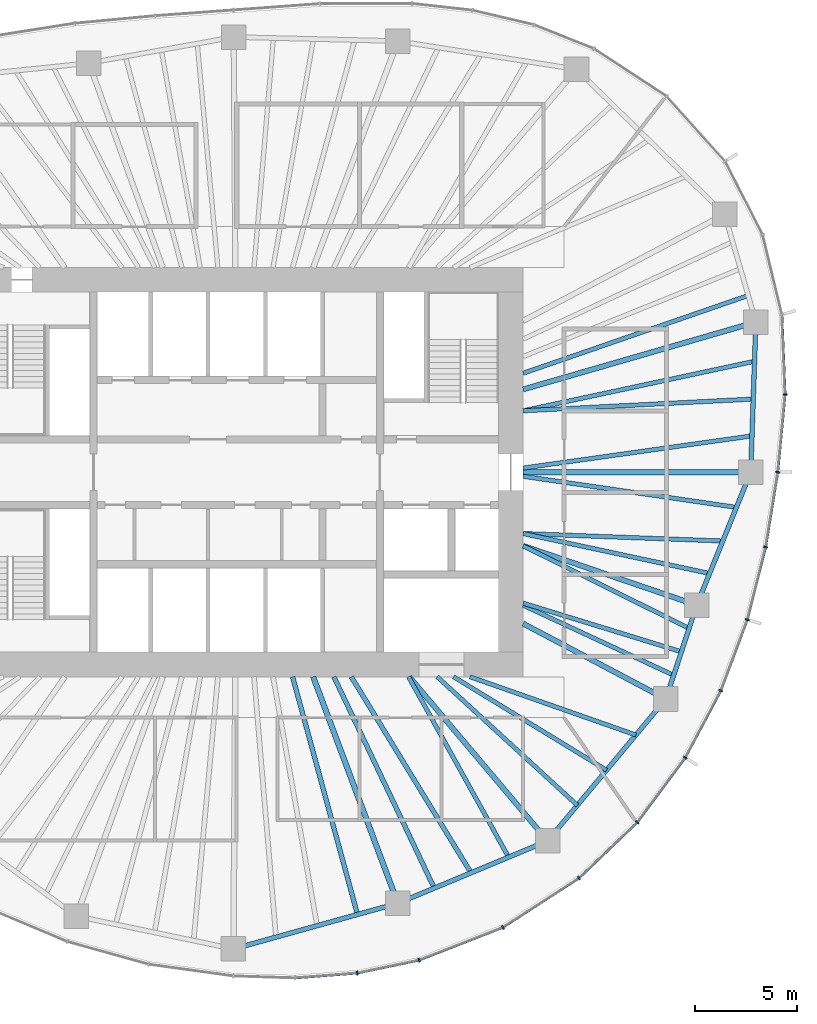
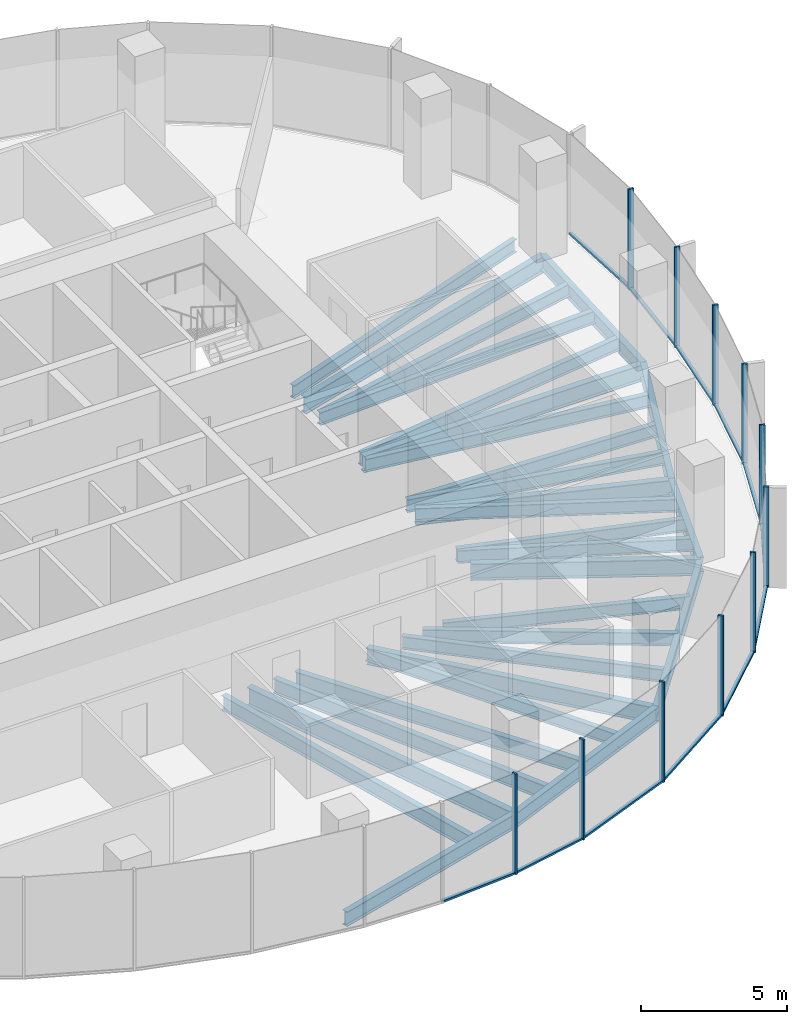
# One storey, part 4 of 12: 29 beams, 23 members, 6 elements without a shape of their own.
"""IFC4 building model written with IfcOpenShell, lengths in metres."""

from ifc_helpers import new_model, si_unit, direction, frame, origin, origin_2d, place, context, subcontext, project, spatial, rectangle, i_section, extrude, material, material_profile, profile_set, type_object, element, aggregate, save


model = new_model("IFC4")

# Units and contexts
model_context = context("Model", 3, precision=1e-05, world=origin(), true_north=direction((0.0, 1.0)))
body_context = subcontext(model_context, "Body", "Model", "MODEL_VIEW")
ifc_project = project(units=[si_unit("LENGTHUNIT", "METRE"), si_unit("AREAUNIT", "SQUARE_METRE"), si_unit("VOLUMEUNIT", "CUBIC_METRE"), si_unit("PLANEANGLEUNIT", "RADIAN"), si_unit("MASSUNIT", "GRAM", prefix="KILO")], contexts=[model_context])

# Site, building, storey
site_placement = place(None, origin())
site = spatial("IfcSite", under=ifc_project, at=site_placement, CompositionType="ELEMENT")
building_placement = place(site_placement, origin())
building = spatial("IfcBuilding", under=site, at=building_placement, Name="Ghaith Harvest Tower", CompositionType="ELEMENT")
storey_placement = place(building_placement, frame((0.0, 0.0, 232.60009765625)))
storey = spatial("IfcBuildingStorey", under=building, at=storey_placement, Name="L51", CompositionType="ELEMENT", Elevation=232.60009765625)

# Curtain wall, members
ifc_material_1 = material(Name="Black anodised aluminium and fritted glass", Category="aluminium")
curtain_wall_type = type_object("IfcCurtainWallType", Name="CW-H CURTAIN WALL", PredefinedType="NOTDEFINED", material=ifc_material_1)
curtain_wall_1_placement = place(storey_placement, origin())
curtain_wall_1 = element("IfcCurtainWall", 1, at=curtain_wall_1_placement, inside=storey, type_object=curtain_wall_type, Name="Curtain wall CW-H bay 01 L51", PredefinedType="NOTDEFINED")
ifc_material_2 = material(Name="Aluminium, black anodised", Category="aluminium")
ifc_material_profile_1 = material_profile(ifc_material_2, rectangle(XDim=0.080078125, YDim=0.199951171875, at=origin_2d()), Name="CW-H MULLION 80x200")
ifc_profile_set_1 = profile_set([ifc_material_profile_1], Name="Aluminium, black anodised")
member_type_1 = type_object("IfcMemberType", Name="CW-H MULLION 80x200", PredefinedType="MULLION", material=ifc_profile_set_1)
member_1_placement = place(storey_placement, frame((26.445068359375, 0.0, 0.0), z_axis=(0.0, 0.0, 1.0), x_axis=(0.126567624553, 0.991957981174, 0.0)))
member_1 = element("IfcMember", 2, at=member_1_placement, type_object=member_type_1, Name="CW-H mullion 1 bay 01 L51", PredefinedType="MULLION", context=body_context, shape_type="SweptSolid", body=[
    extrude(rectangle(XDim=0.080078125, YDim=0.199951171875, at=origin_2d()), origin(), (0.0, 0.0, 1.0), 4.199951171875),
])
member_2_placement = place(storey_placement, frame((26.804443359375, 3.7958984375, 0.0), z_axis=(0.0, 0.0, 1.0), x_axis=(0.026142797814, 0.999658218654, 0.0)))
member_2 = element("IfcMember", 3, at=member_2_placement, type_object=member_type_1, Name="CW-H mullion 2 bay 01 L51", PredefinedType="MULLION", context=body_context, shape_type="SweptSolid", body=[
    extrude(rectangle(XDim=0.080078125, YDim=0.199951171875, at=origin_2d()), origin(), (0.0, 0.0, 1.0), 4.199951171875),
])

# Curtain wall, member
curtain_wall_2_placement = place(storey_placement, origin())
curtain_wall_2 = element("IfcCurtainWall", 4, at=curtain_wall_2_placement, inside=storey, type_object=curtain_wall_type, Name="Curtain wall CW-H bay 16 L51", PredefinedType="NOTDEFINED")
member_3_placement = place(storey_placement, frame((5.893310546875, -24.48291015625, 0.0), z_axis=(0.0, 0.0, 1.0), x_axis=(0.989849191496, 0.142121701704, 0.0)))
member_3 = element("IfcMember", 5, at=member_3_placement, type_object=member_type_1, Name="CW-H mullion 3 bay 16 L51", PredefinedType="MULLION", context=body_context, shape_type="SweptSolid", body=[
    extrude(rectangle(XDim=0.080078125, YDim=0.199951171875, at=origin_2d()), origin(), (0.0, 0.0, 1.0), 4.199951171875),
])

# Curtain wall, members
curtain_wall_3_placement = place(storey_placement, origin())
curtain_wall_3 = element("IfcCurtainWall", 6, at=curtain_wall_3_placement, inside=storey, type_object=curtain_wall_type, Name="Curtain wall CW-H bay 17 L51", PredefinedType="NOTDEFINED")
member_4_placement = place(storey_placement, frame((8.916015625, -23.85009765625, 0.0), z_axis=(0.0, 0.0, 1.0), x_axis=(0.954029934434, 0.299711334793, 0.0)))
member_4 = element("IfcMember", 7, at=member_4_placement, type_object=member_type_1, Name="CW-H mullion 1 bay 17 L51", PredefinedType="MULLION", context=body_context, shape_type="SweptSolid", body=[
    extrude(rectangle(XDim=0.080078125, YDim=0.199951171875, at=origin_2d()), origin(), (0.0, 0.0, 1.0), 4.199951171875),
])
member_5_placement = place(storey_placement, frame((13.010009765625, -22.2470703125, 0.0), z_axis=(0.0, 0.0, 1.0), x_axis=(0.889568363425, 0.456802065225, 0.0)))
member_5 = element("IfcMember", 8, at=member_5_placement, type_object=member_type_1, Name="CW-H mullion 2 bay 17 L51", PredefinedType="MULLION", context=body_context, shape_type="SweptSolid", body=[
    extrude(rectangle(XDim=0.080078125, YDim=0.199951171875, at=origin_2d()), origin(), (0.0, 0.0, 1.0), 4.199951171875),
])

curtain_wall_4_placement = place(storey_placement, origin())
curtain_wall_4 = element("IfcCurtainWall", 9, at=curtain_wall_4_placement, inside=storey, type_object=curtain_wall_type, Name="Curtain wall CW-H bay 18 L51", PredefinedType="NOTDEFINED")
member_6_placement = place(storey_placement, frame((16.72900390625, -19.838134765625, 0.0), z_axis=(0.0, 0.0, 1.0), x_axis=(0.78784554071, 0.615872879727, 0.0)))
member_6 = element("IfcMember", 10, at=member_6_placement, type_object=member_type_1, Name="CW-H mullion 1 bay 18 L51", PredefinedType="MULLION", context=body_context, shape_type="SweptSolid", body=[
    extrude(rectangle(XDim=0.080078125, YDim=0.199951171875, at=origin_2d()), origin(), (0.0, 0.0, 1.0), 4.199951171875),
])
member_7_placement = place(storey_placement, frame((19.57421875, -17.11572265625, 0.0), z_axis=(0.0, 0.0, 1.0), x_axis=(0.661614965695, 0.749843741835, 0.0)))
member_7 = element("IfcMember", 11, at=member_7_placement, type_object=member_type_1, Name="CW-H mullion 2 bay 18 L51", PredefinedType="MULLION", context=body_context, shape_type="SweptSolid", body=[
    extrude(rectangle(XDim=0.080078125, YDim=0.199951171875, at=origin_2d()), origin(), (0.0, 0.0, 1.0), 4.199951171875),
])

curtain_wall_5_placement = place(storey_placement, origin())
curtain_wall_5 = element("IfcCurtainWall", 12, at=curtain_wall_5_placement, inside=storey, type_object=curtain_wall_type, Name="Curtain wall CW-H bay 19 L51", PredefinedType="NOTDEFINED")
member_8_placement = place(storey_placement, frame((21.922607421875, -13.951904296875, 0.0), z_axis=(0.0, 0.0, 1.0), x_axis=(0.535827198032, 0.844327669717, 0.0)))
member_8 = element("IfcMember", 13, at=member_8_placement, type_object=member_type_1, Name="CW-H mullion 1 bay 19 L51", PredefinedType="MULLION", context=body_context, shape_type="SweptSolid", body=[
    extrude(rectangle(XDim=0.080078125, YDim=0.199951171875, at=origin_2d()), origin(), (0.0, 0.0, 1.0), 4.199951171875),
])
member_9_placement = place(storey_placement, frame((23.658203125, -10.680419921875, 0.0), z_axis=(0.0, 0.0, 1.0), x_axis=(0.410429862351, 0.911892169114, 0.0)))
member_9 = element("IfcMember", 14, at=member_9_placement, type_object=member_type_1, Name="CW-H mullion 2 bay 19 L51", PredefinedType="MULLION", context=body_context, shape_type="SweptSolid", body=[
    extrude(rectangle(XDim=0.080078125, YDim=0.199951171875, at=origin_2d()), origin(), (0.0, 0.0, 1.0), 4.199951171875),
])

curtain_wall_6_placement = place(storey_placement, origin())
curtain_wall_6 = element("IfcCurtainWall", 15, at=curtain_wall_6_placement, inside=storey, type_object=curtain_wall_type, Name="Curtain wall CW-H bay 20 L51", PredefinedType="NOTDEFINED")
member_10_placement = place(storey_placement, frame((24.955810546875, -7.212890625, 0.0), z_axis=(0.0, 0.0, 1.0), x_axis=(0.298441625478, 0.954427889462, 0.0)))
member_10 = element("IfcMember", 16, at=member_10_placement, type_object=member_type_1, Name="CW-H mullion 1 bay 20 L51", PredefinedType="MULLION", context=body_context, shape_type="SweptSolid", body=[
    extrude(rectangle(XDim=0.080078125, YDim=0.199951171875, at=origin_2d()), origin(), (0.0, 0.0, 1.0), 4.199951171875),
])
member_11_placement = place(storey_placement, frame((25.85302734375, -3.6611328125, 0.0), z_axis=(0.0, 0.0, 1.0), x_axis=(0.202192370647, 0.979345825157, 0.0)))
member_11 = element("IfcMember", 17, at=member_11_placement, type_object=member_type_1, Name="CW-H mullion 2 bay 20 L51", PredefinedType="MULLION", context=body_context, shape_type="SweptSolid", body=[
    extrude(rectangle(XDim=0.080078125, YDim=0.199951171875, at=origin_2d()), origin(), (0.0, 0.0, 1.0), 4.199951171875),
])

# Member
ifc_material_3 = material(Name="Aluminium, black anodised", Category="aluminium")
ifc_material_profile_2 = material_profile(ifc_material_3, rectangle(XDim=0.1298828125, YDim=0.080078125, at=origin_2d()), Name="CW-H TRANSOM 130x80")
ifc_profile_set_2 = profile_set([ifc_material_profile_2], Name="Aluminium, black anodised")
member_type_2 = type_object("IfcMemberType", Name="CW-H TRANSOM 130x80", PredefinedType="USERDEFINED", material=ifc_profile_set_2)
member_12_placement = place(storey_placement, frame((26.44873046875, 0.039794921875, 0.039794921875), z_axis=(0.094309089207, 0.995542965267, 0.0), x_axis=(-0.995542965267, 0.094309089207, 0.0)))
member_12 = element("IfcMember", 18, at=member_12_placement, type_object=member_type_2, Name="CW-H transom 1 bay 01 L51", ObjectType="TRANSOM", PredefinedType="USERDEFINED", context=body_context, shape_type="SweptSolid", body=[
    extrude(rectangle(XDim=0.1298828125, YDim=0.080078125, at=origin_2d()), origin(), (0.0, 0.0, 1.0), 3.73291015625),
])

member_13_placement = place(storey_placement, frame((26.802978515625, 3.8359375, 0.039794921875), z_axis=(-0.040492641284, 0.999179836667, 0.0), x_axis=(-0.999179836667, -0.040492641284, 0.0)))
member_13 = element("IfcMember", 19, at=member_13_placement, type_object=member_type_2, Name="CW-H transom 2 bay 01 L51", ObjectType="TRANSOM", PredefinedType="USERDEFINED", context=body_context, shape_type="SweptSolid", body=[
    extrude(rectangle(XDim=0.1298828125, YDim=0.080078125, at=origin_2d()), origin(), (0.0, 0.0, 1.0), 3.82861328125),
])

aggregate(curtain_wall_1, [member_1, member_12, member_2, member_13])

member_14_placement = place(storey_placement, frame((2.8876953125, -24.71826171875, 0.039794921875), z_axis=(0.996949781933, 0.078045706505, 0.0), x_axis=(-0.078045706505, 0.996949781933, 0.0)))
member_14 = element("IfcMember", 20, at=member_14_placement, type_object=member_type_2, Name="CW-H transom 2 bay 16 L51", ObjectType="TRANSOM", PredefinedType="USERDEFINED", context=body_context, shape_type="SweptSolid", body=[
    extrude(rectangle(XDim=0.1298828125, YDim=0.080078125, at=origin_2d()), origin(), (0.0, 0.0, 1.0), 2.974853515625),
])

member_15_placement = place(storey_placement, frame((5.932373046875, -24.474609375, 0.039794921875), z_axis=(0.978797058213, 0.204832416461, 0.0), x_axis=(-0.204832416461, 0.978797058213, 0.0)))
member_15 = element("IfcMember", 21, at=member_15_placement, type_object=member_type_2, Name="CW-H transom 3 bay 16 L51", ObjectType="TRANSOM", PredefinedType="USERDEFINED", context=body_context, shape_type="SweptSolid", body=[
    extrude(rectangle(XDim=0.1298828125, YDim=0.080078125, at=origin_2d()), origin(), (0.0, 0.0, 1.0), 3.00830078125),
])

aggregate(curtain_wall_2, [member_14, member_3, member_15])

member_16_placement = place(storey_placement, frame((8.953369140625, -23.835693359375, 0.039794921875), z_axis=(0.931147615871, 0.364642451529, 0.0), x_axis=(-0.364642451529, 0.931147615871, 0.0)))
member_16 = element("IfcMember", 22, at=member_16_placement, type_object=member_type_2, Name="CW-H transom 1 bay 17 L51", ObjectType="TRANSOM", PredefinedType="USERDEFINED", context=body_context, shape_type="SweptSolid", body=[
    extrude(rectangle(XDim=0.1298828125, YDim=0.080078125, at=origin_2d()), origin(), (0.0, 0.0, 1.0), 4.31640625),
])

member_17_placement = place(storey_placement, frame((13.04345703125, -22.225341796875, 0.039794921875), z_axis=(0.839306610985, 0.543658360331, 0.0), x_axis=(-0.543658360331, 0.839306610985, 0.0)))
member_17 = element("IfcMember", 23, at=member_17_placement, type_object=member_type_2, Name="CW-H transom 2 bay 17 L51", ObjectType="TRANSOM", PredefinedType="USERDEFINED", context=body_context, shape_type="SweptSolid", body=[
    extrude(rectangle(XDim=0.1298828125, YDim=0.080078125, at=origin_2d()), origin(), (0.0, 0.0, 1.0), 4.35107421875),
])

aggregate(curtain_wall_3, [member_4, member_16, member_5, member_17])

member_18_placement = place(storey_placement, frame((16.7578125, -19.810546875, 0.039794921875), z_axis=(0.722533278657, 0.691336141998, 0.0), x_axis=(-0.691336141998, 0.722533278657, 0.0)))
member_18 = element("IfcMember", 24, at=member_18_placement, type_object=member_type_2, Name="CW-H transom 1 bay 18 L51", ObjectType="TRANSOM", PredefinedType="USERDEFINED", context=body_context, shape_type="SweptSolid", body=[
    extrude(rectangle(XDim=0.1298828125, YDim=0.080078125, at=origin_2d()), origin(), (0.0, 0.0, 1.0), 3.858154296875),
])

member_19_placement = place(storey_placement, frame((19.59814453125, -17.083740234375, 0.039794921875), z_axis=(0.595995597074, 0.802987701194, 0.0), x_axis=(-0.802987701194, 0.595995597074, 0.0)))
member_19 = element("IfcMember", 25, at=member_19_placement, type_object=member_type_2, Name="CW-H transom 2 bay 18 L51", ObjectType="TRANSOM", PredefinedType="USERDEFINED", context=body_context, shape_type="SweptSolid", body=[
    extrude(rectangle(XDim=0.1298828125, YDim=0.080078125, at=origin_2d()), origin(), (0.0, 0.0, 1.0), 3.8603515625),
])

aggregate(curtain_wall_4, [member_6, member_18, member_7, member_19])

member_20_placement = place(storey_placement, frame((21.94140625, -13.91650390625, 0.039794921875), z_axis=(0.468646057757, 0.883386026915, 0.0), x_axis=(-0.883386026915, 0.468646057757, 0.0)))
member_20 = element("IfcMember", 26, at=member_20_placement, type_object=member_type_2, Name="CW-H transom 1 bay 19 L51", ObjectType="TRANSOM", PredefinedType="USERDEFINED", context=body_context, shape_type="SweptSolid", body=[
    extrude(rectangle(XDim=0.1298828125, YDim=0.080078125, at=origin_2d()), origin(), (0.0, 0.0, 1.0), 3.623291015625),
])

member_21_placement = place(storey_placement, frame((23.672119140625, -10.64306640625, 0.039794921875), z_axis=(0.350510368091, 0.936558851253, 0.0), x_axis=(-0.936558851253, 0.350510368091, 0.0)))
member_21 = element("IfcMember", 27, at=member_21_placement, type_object=member_type_2, Name="CW-H transom 2 bay 19 L51", ObjectType="TRANSOM", PredefinedType="USERDEFINED", context=body_context, shape_type="SweptSolid", body=[
    extrude(rectangle(XDim=0.1298828125, YDim=0.080078125, at=origin_2d()), origin(), (0.0, 0.0, 1.0), 3.62255859375),
])

aggregate(curtain_wall_5, [member_8, member_20, member_9, member_21])

member_22_placement = place(storey_placement, frame((24.965576171875, -7.174072265625, 0.039794921875), z_axis=(0.244939588347, 0.969538342749, 0.0), x_axis=(-0.969538342749, 0.244939588347, 0.0)))
member_22 = element("IfcMember", 28, at=member_22_placement, type_object=member_type_2, Name="CW-H transom 1 bay 20 L51", ObjectType="TRANSOM", PredefinedType="USERDEFINED", context=body_context, shape_type="SweptSolid", body=[
    extrude(rectangle(XDim=0.1298828125, YDim=0.080078125, at=origin_2d()), origin(), (0.0, 0.0, 1.0), 3.583251953125),
])

member_23_placement = place(storey_placement, frame((25.859375, -3.62158203125, 0.039794921875), z_axis=(0.159661845696, 0.987171765717, 0.0), x_axis=(-0.987171765717, 0.159661845696, 0.0)))
member_23 = element("IfcMember", 29, at=member_23_placement, type_object=member_type_2, Name="CW-H transom 2 bay 20 L51", ObjectType="TRANSOM", PredefinedType="USERDEFINED", context=body_context, shape_type="SweptSolid", body=[
    extrude(rectangle(XDim=0.1298828125, YDim=0.080078125, at=origin_2d()), origin(), (0.0, 0.0, 1.0), 3.628662109375),
])

aggregate(curtain_wall_6, [member_10, member_22, member_11, member_23])

# Beams
ifc_material_4 = material(Name="Steel ASTM A992 Grade 50", Category="steel")
ifc_material_profile_3 = material_profile(ifc_material_4, i_section(OverallWidth=0.22900390625, OverallDepth=0.612060546875, WebThickness=0.011962890625, FlangeThickness=0.01953125, at=origin_2d()), Name="W610X125")
ifc_profile_set_3 = profile_set([ifc_material_profile_3], Name="Steel ASTM A992 Grade 50")
beam_type_1 = type_object("IfcBeamType", Name="E610-125 W610X125", PredefinedType="SPANDREL", material=ifc_profile_set_3)
beam_1_placement = place(storey_placement, frame((25.125, 0.0, -0.47607421875), z_axis=(0.03446227584, 0.999405999354, 0.0), x_axis=(-0.999405999354, 0.03446227584, 0.0)))
element("IfcBeam", 30, at=beam_1_placement, inside=storey, type_object=beam_type_1, Name="Edge beam E01 L51", PredefinedType="SPANDREL", context=body_context, shape_type="SweptSolid", body=[
    extrude(i_section(OverallWidth=0.22900390625, OverallDepth=0.612060546875, WebThickness=0.011962890625, FlangeThickness=0.01953125, at=origin_2d()), origin(), (0.0, 0.0, 1.0), 7.33935546875),
])
beam_2_placement = place(storey_placement, frame((-0.158935546875, -23.304931640625, -0.47607421875), z_axis=(0.963504070594, 0.267693679323, 0.0), x_axis=(-0.267693679323, 0.963504070594, 0.0)))
element("IfcBeam", 31, at=beam_2_placement, inside=storey, type_object=beam_type_1, Name="Edge beam E16 L51", PredefinedType="SPANDREL", context=body_context, shape_type="SweptSolid", body=[
    extrude(i_section(OverallWidth=0.22900390625, OverallDepth=0.612060546875, WebThickness=0.011962890625, FlangeThickness=0.01953125, at=origin_2d()), origin(), (0.0, 0.0, 1.0), 8.34130859375),
])
beam_3_placement = place(storey_placement, frame((7.8779296875, -21.072021484375, -0.47607421875), z_axis=(0.923119729219, 0.384512633766, 0.0), x_axis=(-0.384512633766, 0.923119729219, 0.0)))
element("IfcBeam", 32, at=beam_3_placement, inside=storey, type_object=beam_type_1, Name="Edge beam E17 L51", PredefinedType="SPANDREL", context=body_context, shape_type="SweptSolid", body=[
    extrude(i_section(OverallWidth=0.22900390625, OverallDepth=0.612060546875, WebThickness=0.011962890625, FlangeThickness=0.01953125, at=origin_2d()), origin(), (0.0, 0.0, 1.0), 7.9296875),
])
beam_4_placement = place(storey_placement, frame((15.197998046875, -18.02294921875, -0.47607421875), z_axis=(0.640173759088, 0.76823014662, 0.0), x_axis=(-0.76823014662, 0.640173759088, 0.0)))
element("IfcBeam", 33, at=beam_4_placement, inside=storey, type_object=beam_type_1, Name="Edge beam E18 L51", PredefinedType="SPANDREL", context=body_context, shape_type="SweptSolid", body=[
    extrude(i_section(OverallWidth=0.22900390625, OverallDepth=0.612060546875, WebThickness=0.011962890625, FlangeThickness=0.01953125, at=origin_2d()), origin(), (0.0, 0.0, 1.0), 9.02734375),
])
beam_5_placement = place(storey_placement, frame((20.97705078125, -11.087890625, -0.47607421875), z_axis=(0.312206727278, 0.950014189074, 0.0), x_axis=(-0.950014189074, 0.312206727278, 0.0)))
element("IfcBeam", 34, at=beam_5_placement, inside=storey, type_object=beam_type_1, Name="Edge beam E19 L51", PredefinedType="SPANDREL", context=body_context, shape_type="SweptSolid", body=[
    extrude(i_section(OverallWidth=0.22900390625, OverallDepth=0.612060546875, WebThickness=0.011962890625, FlangeThickness=0.01953125, at=origin_2d()), origin(), (0.0, 0.0, 1.0), 4.830322265625),
])
beam_6_placement = place(storey_placement, frame((22.485107421875, -6.4990234375, -0.47607421875), z_axis=(0.376335970246, 0.926483263475, 0.0), x_axis=(-0.926483263475, 0.376335970246, 0.0)))
element("IfcBeam", 35, at=beam_6_placement, inside=storey, type_object=beam_type_1, Name="Edge beam E20 L51", PredefinedType="SPANDREL", context=body_context, shape_type="SweptSolid", body=[
    extrude(i_section(OverallWidth=0.22900390625, OverallDepth=0.612060546875, WebThickness=0.011962890625, FlangeThickness=0.01953125, at=origin_2d()), origin(), (0.0, 0.0, 1.0), 7.0146484375),
])
ifc_material_5 = material(Name="Steel ASTM A992 Grade 50", Category="steel")
ifc_material_profile_4 = material_profile(ifc_material_5, i_section(OverallWidth=0.256103515625, OverallDepth=0.693115234375, WebThickness=0.014404296875, FlangeThickness=0.023681640625, at=origin_2d()), Name="W690X170")
ifc_profile_set_4 = profile_set([ifc_material_profile_4], Name="Steel ASTM A992 Grade 50")
beam_type_2 = type_object("IfcBeamType", Name="G690-170 W690X170", PredefinedType="BEAM", material=ifc_profile_set_4)
beam_7_placement = place(storey_placement, frame((14.0, 0.0, -0.5166015625), z_axis=(1.0, 0.0, 0.0), x_axis=(0.0, 1.0, 0.0)))
element("IfcBeam", 36, at=beam_7_placement, inside=storey, type_object=beam_type_2, Name="Radial girder G01 L51", PredefinedType="BEAM", context=body_context, shape_type="SweptSolid", body=[
    extrude(i_section(OverallWidth=0.256103515625, OverallDepth=0.693115234375, WebThickness=0.014404296875, FlangeThickness=0.023681640625, at=origin_2d()), origin(), (0.0, 0.0, 1.0), 11.125),
])
beam_8_placement = place(storey_placement, frame((14.0, 4.04638671875, -0.5166015625), z_axis=(0.960677776578, 0.277665643518, 0.0), x_axis=(-0.277665643518, 0.960677776578, 0.0)))
element("IfcBeam", 37, at=beam_8_placement, inside=storey, type_object=beam_type_2, Name="Radial girder G02 L51", PredefinedType="BEAM", context=body_context, shape_type="SweptSolid", body=[
    extrude(i_section(OverallWidth=0.256103515625, OverallDepth=0.693115234375, WebThickness=0.014404296875, FlangeThickness=0.023681640625, at=origin_2d()), origin(), (0.0, 0.0, 1.0), 11.84375),
])
beam_9_placement = place(storey_placement, frame((8.4326171875, -10.0, -0.5166015625), z_axis=(0.644649240595, -0.764478486682, 0.0), x_axis=(0.764478486682, 0.644649240595, 0.0)))
element("IfcBeam", 38, at=beam_9_placement, inside=storey, type_object=beam_type_2, Name="Radial girder G18 L51", PredefinedType="BEAM", context=body_context, shape_type="SweptSolid", body=[
    extrude(i_section(OverallWidth=0.256103515625, OverallDepth=0.693115234375, WebThickness=0.014404296875, FlangeThickness=0.023681640625, at=origin_2d()), origin(), (0.0, 0.0, 1.0), 10.49462890625),
])
beam_10_placement = place(storey_placement, frame((14.0, -7.39990234375, -0.5166015625), z_axis=(0.884088732293, -0.467319070264, 0.0), x_axis=(0.467319070264, 0.884088732293, 0.0)))
element("IfcBeam", 39, at=beam_10_placement, inside=storey, type_object=beam_type_2, Name="Radial girder G19 L51", PredefinedType="BEAM", context=body_context, shape_type="SweptSolid", body=[
    extrude(i_section(OverallWidth=0.256103515625, OverallDepth=0.693115234375, WebThickness=0.014404296875, FlangeThickness=0.023681640625, at=origin_2d()), origin(), (0.0, 0.0, 1.0), 7.891845703125),
])
beam_11_placement = place(storey_placement, frame((14.0, -3.60009765625, -0.5166015625), z_axis=(0.94629622913, -0.323300861018, 0.0), x_axis=(0.323300861018, 0.94629622913, 0.0)))
element("IfcBeam", 40, at=beam_11_placement, inside=storey, type_object=beam_type_2, Name="Radial girder G20 L51", PredefinedType="BEAM", context=body_context, shape_type="SweptSolid", body=[
    extrude(i_section(OverallWidth=0.256103515625, OverallDepth=0.693115234375, WebThickness=0.014404296875, FlangeThickness=0.023681640625, at=origin_2d()), origin(), (0.0, 0.0, 1.0), 8.966552734375),
])
ifc_material_6 = material(Name="Steel ASTM A992 Grade 50", Category="steel")
ifc_material_profile_5 = material_profile(ifc_material_6, i_section(OverallWidth=0.26806640625, OverallDepth=0.77001953125, WebThickness=0.015625, FlangeThickness=0.025390625, at=origin_2d()), Name="W760X196")
ifc_profile_set_5 = profile_set([ifc_material_profile_5], Name="Steel ASTM A992 Grade 50")
beam_type_3 = type_object("IfcBeamType", Name="G760-196 W760X196", PredefinedType="BEAM", material=ifc_profile_set_5)
beam_12_placement = place(storey_placement, frame((3.73828125, -10.0, -0.55517578125), z_axis=(0.350206582147, -0.936672488024, 0.0), x_axis=(0.936672488024, 0.350206582147, 0.0)))
element("IfcBeam", 41, at=beam_12_placement, inside=storey, type_object=beam_type_3, Name="Radial girder G17 L51", PredefinedType="BEAM", context=body_context, shape_type="SweptSolid", body=[
    extrude(i_section(OverallWidth=0.26806640625, OverallDepth=0.77001953125, WebThickness=0.015625, FlangeThickness=0.025390625, at=origin_2d()), origin(), (0.0, 0.0, 1.0), 11.820556640625),
])
ifc_material_7 = material(Name="Steel ASTM A992 Grade 50", Category="steel")
ifc_material_profile_6 = material_profile(ifc_material_7, i_section(OverallWidth=0.2109375, OverallDepth=0.5390625, WebThickness=0.01171875, FlangeThickness=0.018798828125, at=origin_2d()), Name="W530X109")
ifc_profile_set_6 = profile_set([ifc_material_profile_6], Name="Steel ASTM A992 Grade 50")
beam_type_4 = type_object("IfcBeamType", Name="J530-109 W530X109", PredefinedType="JOIST", material=ifc_profile_set_6)
beam_13_placement = place(storey_placement, frame((14.0, 0.199951171875, -0.439697265625), z_axis=(0.990239574724, 0.139375696052, 0.0), x_axis=(-0.139375696052, 0.990239574724, 0.0)))
element("IfcBeam", 42, at=beam_13_placement, inside=storey, type_object=beam_type_4, Name="Joist J01.1 L51", PredefinedType="JOIST", context=body_context, shape_type="SweptSolid", body=[
    extrude(i_section(OverallWidth=0.2109375, OverallDepth=0.5390625, WebThickness=0.01171875, FlangeThickness=0.018798828125, at=origin_2d()), origin(), (0.0, 0.0, 1.0), 11.296630859375),
])
beam_14_placement = place(storey_placement, frame((14.0, 3.0, -0.439697265625), z_axis=(0.998693995267, 0.051091132482, 0.0), x_axis=(-0.051091132482, 0.998693995267, 0.0)))
element("IfcBeam", 43, at=beam_14_placement, inside=storey, type_object=beam_type_4, Name="Joist J01.2 L51", PredefinedType="JOIST", context=body_context, shape_type="SweptSolid", body=[
    extrude(i_section(OverallWidth=0.2109375, OverallDepth=0.5390625, WebThickness=0.01171875, FlangeThickness=0.018798828125, at=origin_2d()), origin(), (0.0, 0.0, 1.0), 11.262939453125),
])
beam_15_placement = place(storey_placement, frame((14.0, 3.0, -0.439697265625), z_axis=(0.977840076912, 0.209353251672, 0.0), x_axis=(-0.209353251672, 0.977840076912, 0.0)))
element("IfcBeam", 44, at=beam_15_placement, inside=storey, type_object=beam_type_4, Name="Joist J01.3 L51", PredefinedType="JOIST", context=body_context, shape_type="SweptSolid", body=[
    extrude(i_section(OverallWidth=0.2109375, OverallDepth=0.5390625, WebThickness=0.01171875, FlangeThickness=0.018798828125, at=origin_2d()), origin(), (0.0, 0.0, 1.0), 11.568359375),
])
beam_16_placement = place(storey_placement, frame((14.0, 4.835693359375, -0.439697265625), z_axis=(0.945202328042, 0.326485159025, 0.0), x_axis=(-0.326485159025, 0.945202328042, 0.0)))
element("IfcBeam", 45, at=beam_16_placement, inside=storey, type_object=beam_type_4, Name="Joist J02.1 L51", PredefinedType="JOIST", context=body_context, shape_type="SweptSolid", body=[
    extrude(i_section(OverallWidth=0.2109375, OverallDepth=0.5390625, WebThickness=0.01171875, FlangeThickness=0.018798828125, at=origin_2d()), origin(), (0.0, 0.0, 1.0), 11.63916015625),
])
beam_17_placement = place(storey_placement, frame((8.39990234375, -10.0, -0.439697265625), z_axis=(0.484919107871, -0.874559008199, 0.0), x_axis=(0.874559008199, 0.484919107871, 0.0)))
element("IfcBeam", 46, at=beam_17_placement, inside=storey, type_object=beam_type_4, Name="Joist J17.3 L51", PredefinedType="JOIST", context=body_context, shape_type="SweptSolid", body=[
    extrude(i_section(OverallWidth=0.2109375, OverallDepth=0.5390625, WebThickness=0.01171875, FlangeThickness=0.018798828125, at=origin_2d()), origin(), (0.0, 0.0, 1.0), 10.0830078125),
])
beam_18_placement = place(storey_placement, frame((9.800048828125, -10.0, -0.439697265625), z_axis=(0.736998187228, -0.675894719629, 0.0), x_axis=(0.675894719629, 0.736998187228, 0.0)))
element("IfcBeam", 47, at=beam_18_placement, inside=storey, type_object=beam_type_4, Name="Joist J18.1 L51", PredefinedType="JOIST", context=body_context, shape_type="SweptSolid", body=[
    extrude(i_section(OverallWidth=0.2109375, OverallDepth=0.5390625, WebThickness=0.01171875, FlangeThickness=0.018798828125, at=origin_2d()), origin(), (0.0, 0.0, 1.0), 9.293701171875),
])
beam_19_placement = place(storey_placement, frame((14.0, -3.0, -0.439697265625), z_axis=(0.977841497168, -0.209346617877, 0.0), x_axis=(0.209346617877, 0.977841497168, 0.0)))
element("IfcBeam", 48, at=beam_19_placement, inside=storey, type_object=beam_type_4, Name="Joist J20.1 L51", PredefinedType="JOIST", context=body_context, shape_type="SweptSolid", body=[
    extrude(i_section(OverallWidth=0.2109375, OverallDepth=0.5390625, WebThickness=0.01171875, FlangeThickness=0.018798828125, at=origin_2d()), origin(), (0.0, 0.0, 1.0), 9.3203125),
])
beam_20_placement = place(storey_placement, frame((14.0, -3.0, -0.439697265625), z_axis=(0.999303105315, -0.037326983644, 0.0), x_axis=(0.037326983644, 0.999303105315, 0.0)))
element("IfcBeam", 49, at=beam_20_placement, inside=storey, type_object=beam_type_4, Name="Joist J20.2 L51", PredefinedType="JOIST", context=body_context, shape_type="SweptSolid", body=[
    extrude(i_section(OverallWidth=0.2109375, OverallDepth=0.5390625, WebThickness=0.01171875, FlangeThickness=0.018798828125, at=origin_2d()), origin(), (0.0, 0.0, 1.0), 9.76513671875),
])
beam_21_placement = place(storey_placement, frame((14.0, -0.199951171875, -0.439697265625), z_axis=(0.989525259022, -0.144359834294, 0.0), x_axis=(0.144359834294, 0.989525259022, 0.0)))
element("IfcBeam", 50, at=beam_21_placement, inside=storey, type_object=beam_type_4, Name="Joist J20.3 L51", PredefinedType="JOIST", context=body_context, shape_type="SweptSolid", body=[
    extrude(i_section(OverallWidth=0.2109375, OverallDepth=0.5390625, WebThickness=0.01171875, FlangeThickness=0.018798828125, at=origin_2d()), origin(), (0.0, 0.0, 1.0), 10.5361328125),
])
ifc_material_8 = material(Name="Steel ASTM A992 Grade 50", Category="steel")
ifc_material_profile_7 = material_profile(ifc_material_8, i_section(OverallWidth=0.208984375, OverallDepth=0.532958984375, WebThickness=0.01025390625, FlangeThickness=0.015625, at=origin_2d()), Name="W530X92")
ifc_profile_set_7 = profile_set([ifc_material_profile_7], Name="Steel ASTM A992 Grade 50")
beam_type_5 = type_object("IfcBeamType", Name="J530-92 W530X92", PredefinedType="JOIST", material=ifc_profile_set_7)
beam_22_placement = place(storey_placement, frame((10.60009765625, -10.0, -0.4365234375), z_axis=(0.853467052113, -0.521146803654, 0.0), x_axis=(0.521146803654, 0.853467052113, 0.0)))
element("IfcBeam", 51, at=beam_22_placement, inside=storey, type_object=beam_type_5, Name="Joist J18.2 L51", PredefinedType="JOIST", context=body_context, shape_type="SweptSolid", body=[
    extrude(i_section(OverallWidth=0.208984375, OverallDepth=0.532958984375, WebThickness=0.01025390625, FlangeThickness=0.015625, at=origin_2d()), origin(), (0.0, 0.0, 1.0), 8.76220703125),
])
beam_23_placement = place(storey_placement, frame((11.39990234375, -10.0, -0.4365234375), z_axis=(0.943605274188, -0.331072630285, 0.0), x_axis=(0.331072630285, 0.943605274188, 0.0)))
element("IfcBeam", 52, at=beam_23_placement, inside=storey, type_object=beam_type_5, Name="Joist J18.3 L51", PredefinedType="JOIST", context=body_context, shape_type="SweptSolid", body=[
    extrude(i_section(OverallWidth=0.208984375, OverallDepth=0.532958984375, WebThickness=0.01025390625, FlangeThickness=0.015625, at=origin_2d()), origin(), (0.0, 0.0, 1.0), 8.596923828125),
])
beam_24_placement = place(storey_placement, frame((14.0, -6.506103515625, -0.4365234375), z_axis=(0.906865270415, -0.421420670251, 0.0), x_axis=(0.421420670251, 0.906865270415, 0.0)))
element("IfcBeam", 53, at=beam_24_placement, inside=storey, type_object=beam_type_5, Name="Joist J19.1 L51", PredefinedType="JOIST", context=body_context, shape_type="SweptSolid", body=[
    extrude(i_section(OverallWidth=0.208984375, OverallDepth=0.532958984375, WebThickness=0.01025390625, FlangeThickness=0.015625, at=origin_2d()), origin(), (0.0, 0.0, 1.0), 8.11474609375),
])
beam_25_placement = place(storey_placement, frame((14.0, -6.39990234375, -0.4365234375), z_axis=(0.955870927609, -0.293786946192, 0.0), x_axis=(0.293786946192, 0.955870927609, 0.0)))
element("IfcBeam", 54, at=beam_25_placement, inside=storey, type_object=beam_type_5, Name="Joist J19.2 L51", PredefinedType="JOIST", context=body_context, shape_type="SweptSolid", body=[
    extrude(i_section(OverallWidth=0.208984375, OverallDepth=0.532958984375, WebThickness=0.01025390625, FlangeThickness=0.015625, at=origin_2d()), origin(), (0.0, 0.0, 1.0), 8.09326171875),
])
beam_26_placement = place(storey_placement, frame((14.0, -3.60009765625, -0.4365234375), z_axis=(0.89523949078, -0.445585293909, 0.0), x_axis=(0.445585293909, 0.89523949078, 0.0)))
element("IfcBeam", 55, at=beam_26_placement, inside=storey, type_object=beam_type_5, Name="Joist J19.3 L51", PredefinedType="JOIST", context=body_context, shape_type="SweptSolid", body=[
    extrude(i_section(OverallWidth=0.208984375, OverallDepth=0.532958984375, WebThickness=0.01025390625, FlangeThickness=0.015625, at=origin_2d()), origin(), (0.0, 0.0, 1.0), 9.060302734375),
])
ifc_material_9 = material(Name="Steel ASTM A992 Grade 50", Category="steel")
ifc_material_profile_8 = material_profile(ifc_material_9, i_section(OverallWidth=0.22900390625, OverallDepth=0.612060546875, WebThickness=0.011962890625, FlangeThickness=0.01953125, at=origin_2d()), Name="W610X125")
ifc_profile_set_8 = profile_set([ifc_material_profile_8], Name="Steel ASTM A992 Grade 50")
beam_type_6 = type_object("IfcBeamType", Name="J610-125 W610X125", PredefinedType="JOIST", material=ifc_profile_set_8)
beam_27_placement = place(storey_placement, frame((2.73095703125, -10.0, -0.47607421875), z_axis=(0.263456947705, -0.964671154698, 0.0), x_axis=(0.964671154698, 0.263456947705, 0.0)))
element("IfcBeam", 56, at=beam_27_placement, inside=storey, type_object=beam_type_6, Name="Joist J16.3 L51", PredefinedType="JOIST", context=body_context, shape_type="SweptSolid", body=[
    extrude(i_section(OverallWidth=0.22900390625, OverallDepth=0.612060546875, WebThickness=0.011962890625, FlangeThickness=0.01953125, at=origin_2d()), origin(), (0.0, 0.0, 1.0), 12.0458984375),
])
beam_28_placement = place(storey_placement, frame((4.75, -10.0, -0.47607421875), z_axis=(0.429080762264, -0.90326612881, 0.0), x_axis=(0.90326612881, 0.429080762264, 0.0)))
element("IfcBeam", 57, at=beam_28_placement, inside=storey, type_object=beam_type_6, Name="Joist J17.1 L51", PredefinedType="JOIST", context=body_context, shape_type="SweptSolid", body=[
    extrude(i_section(OverallWidth=0.22900390625, OverallDepth=0.612060546875, WebThickness=0.011962890625, FlangeThickness=0.01953125, at=origin_2d()), origin(), (0.0, 0.0, 1.0), 11.437255859375),
])
beam_29_placement = place(storey_placement, frame((5.60009765625, -10.0, -0.47607421875), z_axis=(0.521165912119, -0.853455383746, 0.0), x_axis=(0.853455383746, 0.521165912119, 0.0)))
element("IfcBeam", 58, at=beam_29_placement, inside=storey, type_object=beam_type_6, Name="Joist J17.2 L51", PredefinedType="JOIST", context=body_context, shape_type="SweptSolid", body=[
    extrude(i_section(OverallWidth=0.22900390625, OverallDepth=0.612060546875, WebThickness=0.011962890625, FlangeThickness=0.01953125, at=origin_2d()), origin(), (0.0, 0.0, 1.0), 11.228759765625),
])

save(model, "model.ifc")
